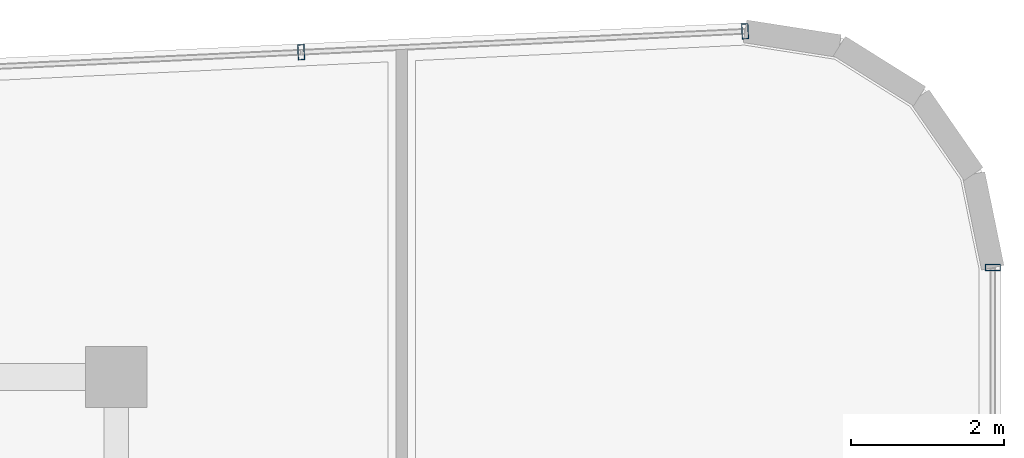
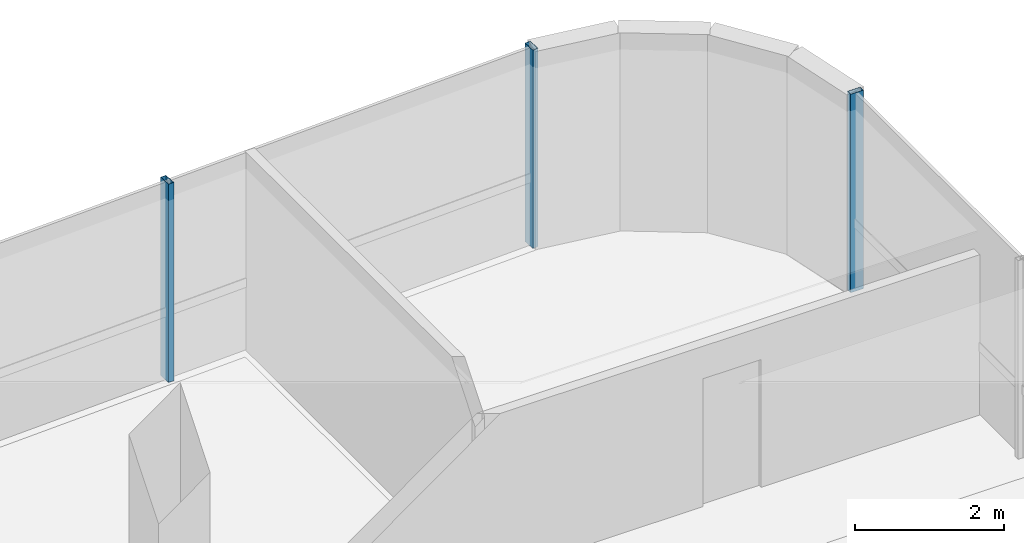
# One storey, part 14 of 21: 3 members, 2 elements without a shape of their own.
"""IFC4 building model written with IfcOpenShell, lengths in metres."""

import ifcopenshell
import ifcopenshell.guid

model = None  # the IFC model being written
_history = None  # IfcOwnerHistory: only IFC2X3 demands one
_inside = {}  # id of a spatial element -> (the spatial element, [elements in it])
_under = {}  # id of a project, library or spatial element -> (it, [spatial elements below it])
_declared = {}  # id of a project -> (the project, [libraries it declares])
_typed = {}  # id of a type object -> (the type object, [elements of that type])
_made_of = {}  # id of a material, layer set ... -> (it, [elements and type objects made of it])


def new_model(schema):
    """Start an empty IFC model of exactly this schema.

    Asked for "IFC4X3", IfcOpenShell would pick the latest addendum, in which some entities
    have other attributes; the version numbers below select the first issue.
    IFC2X3 requires an IfcOwnerHistory on every rooted entity: one is made here for all.
    """
    global model, _history
    if schema == "IFC4X3":
        model = ifcopenshell.file(schema_version=(4, 3, 0, 0))
    else:
        model = ifcopenshell.file(schema=schema)
    _inside.clear()
    _under.clear()
    _declared.clear()
    _typed.clear()
    _made_of.clear()
    _history = None
    if model.schema == "IFC2X3":
        org = make("IfcOrganization", Name="unknown")
        user = make(
            "IfcPersonAndOrganization",
            ThePerson=make("IfcPerson", FamilyName="unknown"),
            TheOrganization=org,
        )
        app = make(
            "IfcApplication",
            ApplicationDeveloper=org,
            Version="unknown",
            ApplicationFullName="unknown",
            ApplicationIdentifier="unknown",
        )
        _history = make(
            "IfcOwnerHistory",
            OwningUser=user,
            OwningApplication=app,
            ChangeAction="ADDED",
            CreationDate=0,
        )
    return model


def make(cls, **values):
    """One entity of the class cls with the attributes given. An attribute that is None is left unset."""
    return model.create_entity(
        cls, **{name: value for name, value in values.items() if value is not None}
    )


def rooted(cls, **values):
    """An entity with a GlobalId (a new one), such as an element, a storey or a relation."""
    return make(cls, GlobalId=ifcopenshell.guid.new(), OwnerHistory=_history, **values)


def si_unit(unit_type, name, prefix=None):
    """IfcSIUnit, for example si_unit("LENGTHUNIT", "METRE", prefix="MILLI")."""
    return make("IfcSIUnit", UnitType=unit_type, Prefix=prefix, Name=name)


def assignment(units):
    """IfcUnitAssignment: the units of a project."""
    return None if units is None else make("IfcUnitAssignment", Units=units)


def point(xyz):
    """IfcCartesianPoint."""
    return None if xyz is None else make("IfcCartesianPoint", Coordinates=xyz)


def direction(xyz):
    """IfcDirection."""
    return None if xyz is None else make("IfcDirection", DirectionRatios=xyz)


def frame(location, z_axis=None, x_axis=None):
    """IfcAxis2Placement3D, a coordinate frame: its origin and axes. An axis left out is left unset."""
    return make(
        "IfcAxis2Placement3D",
        Location=point(location),
        Axis=direction(z_axis),
        RefDirection=direction(x_axis),
    )


def frame_2d(location, x_axis=None):
    """IfcAxis2Placement2D, a coordinate frame in the plane: its origin and x axis."""
    return make(
        "IfcAxis2Placement2D", Location=point(location), RefDirection=direction(x_axis)
    )


def origin():
    """The frame at (0, 0, 0) with its axes left unset."""
    return frame((0.0, 0.0, 0.0))


def origin_2d():
    """The frame at (0, 0) in the plane with its x axis left unset."""
    return frame_2d((0.0, 0.0))


def place(relative_to, where):
    """IfcLocalPlacement: puts the frame where relative to a parent placement (None: the world)."""
    return make(
        "IfcLocalPlacement", PlacementRelTo=relative_to, RelativePlacement=where
    )


def context(
    kind, dimensions, precision=None, world=None, true_north=None, identifier=None
):
    """IfcGeometricRepresentationContext, for example the 3D "Model" context."""
    return make(
        "IfcGeometricRepresentationContext",
        ContextIdentifier=identifier,
        ContextType=kind,
        CoordinateSpaceDimension=dimensions,
        Precision=precision,
        WorldCoordinateSystem=world,
        TrueNorth=true_north,
    )


def subcontext(parent, identifier, kind, view, scale=None):
    """IfcGeometricRepresentationSubContext, for example "Body" below "Model"."""
    return make(
        "IfcGeometricRepresentationSubContext",
        ContextIdentifier=identifier,
        ContextType=kind,
        ParentContext=parent,
        TargetScale=scale,
        TargetView=view,
    )


def project(units=None, contexts=None):
    """IfcProject with its units and contexts."""
    return rooted(
        "IfcProject",
        Name="project",
        RepresentationContexts=contexts,
        UnitsInContext=assignment(units),
    )


def spatial(cls, under=None, at=None, **own):
    """A site, building, storey or space (cls), placed at a placement, below another one or the project."""
    s = rooted(cls, ObjectPlacement=at, **own)
    if under is not None:
        _under.setdefault(under.id(), (under, []))[1].append(s)
    return s


def profile(cls, at=None, kind="AREA", **sizes):
    """A parametric profile (cls). Its sizes go by their IFC names, for example OverallWidth=200.0."""
    return make(cls, ProfileType=kind, Position=at, **sizes)


def hollow_rectangle(**sizes):
    """IfcRectangleHollowProfileDef."""
    return profile("IfcRectangleHollowProfileDef", **sizes)


def extrude(swept, where, along, depth):
    """IfcExtrudedAreaSolid: the profile swept, set in the frame where, extruded along a direction by depth."""
    return make(
        "IfcExtrudedAreaSolid",
        SweptArea=swept,
        Position=where,
        ExtrudedDirection=direction(along),
        Depth=depth,
    )


def shape(context_of_items, identifier, shape_type, items):
    """IfcShapeRepresentation: the items that make up one representation, for example the "Body"."""
    return make(
        "IfcShapeRepresentation",
        ContextOfItems=context_of_items,
        RepresentationIdentifier=identifier,
        RepresentationType=shape_type,
        Items=items,
    )


def source(mapping_origin, context_of_items, identifier, shape_type, items):
    """IfcRepresentationMap: a shape defined once, which mapped items show again and again."""
    return make(
        "IfcRepresentationMap",
        MappingOrigin=mapping_origin,
        MappedRepresentation=shape(context_of_items, identifier, shape_type, items),
    )


def transform(
    local_origin,
    x_axis=None,
    y_axis=None,
    z_axis=None,
    scale=None,
    scale2=None,
    scale3=None,
    uniform=True,
):
    """IfcCartesianTransformationOperator3D, or its non-uniform kind. x_axis, y_axis, z_axis: its Axis1, 2, 3."""
    if uniform:
        return make(
            "IfcCartesianTransformationOperator3D",
            Axis1=direction(x_axis),
            Axis2=direction(y_axis),
            LocalOrigin=point(local_origin),
            Scale=scale,
            Axis3=direction(z_axis),
        )
    return make(
        "IfcCartesianTransformationOperator3DnonUniform",
        Axis1=direction(x_axis),
        Axis2=direction(y_axis),
        LocalOrigin=point(local_origin),
        Scale=scale,
        Axis3=direction(z_axis),
        Scale2=scale2,
        Scale3=scale3,
    )


def mapped(mapping_source, mapping_target):
    """IfcMappedItem: shows the shape of a source again, moved by a transform."""
    return make(
        "IfcMappedItem", MappingSource=mapping_source, MappingTarget=mapping_target
    )


def material(Name=None, Category=None):
    """IfcMaterial."""
    return make("IfcMaterial", Name=Name, Category=Category)


def material_profile(
    of_material, cross_section, Name=None, Category=None, Priority=None
):
    """IfcMaterialProfile: a cross section and its material."""
    return make(
        "IfcMaterialProfile",
        Name=Name,
        Material=of_material,
        Profile=cross_section,
        Priority=Priority,
        Category=Category,
    )


def profile_set(profiles, Name=None, composite=None):
    """IfcMaterialProfileSet."""
    return make(
        "IfcMaterialProfileSet",
        Name=Name,
        MaterialProfiles=profiles,
        CompositeProfile=composite,
    )


def made_of(thing, what):
    """Note that an element or type object is made of a material, layer set ...; save() writes the relation."""
    if what is not None:
        _made_of.setdefault(what.id(), (what, []))[1].append(thing)
    return thing


def type_object(cls, material=None, **own):
    """A type object (cls), such as IfcWallType, which elements share."""
    return made_of(rooted(cls, **own), material)


def element(
    cls,
    number,
    at=None,
    inside=None,
    cuts=None,
    type_object=None,
    material=None,
    context=None,
    identifier="Body",
    shape_type=None,
    held_by="IfcProductDefinitionShape",
    body=None,
    shapes=None,
    **own,
):
    """One element of the class cls, such as IfcWall. Its Tag is "e" and its number.

    at: its placement. inside: the storey or other place that contains it. cuts: it is an
    opening in that element (IfcRelVoidsElement). A single representation is given by context,
    identifier, shape_type and body (its items); several are given by shapes. held_by: the class
    of the entity that holds the representations. save() writes the other relations.
    """
    e = rooted(cls, Tag="e%d" % number, ObjectPlacement=at, **own)
    if body is not None:
        shapes = [shape(context, identifier, shape_type, body)]
    if shapes is not None:
        e.Representation = make(held_by, Representations=shapes)
    if inside is not None:
        _inside.setdefault(inside.id(), (inside, []))[1].append(e)
    if cuts is not None:
        rooted(
            "IfcRelVoidsElement", RelatingBuildingElement=cuts, RelatedOpeningElement=e
        )
    if type_object is not None:
        _typed.setdefault(type_object.id(), (type_object, []))[1].append(e)
    return made_of(e, material)


def aggregate(whole, parts):
    """IfcRelAggregates: a whole, such as a stair, and the parts it consists of."""
    return rooted("IfcRelAggregates", RelatingObject=whole, RelatedObjects=parts)


def save(model, path):
    """Write the relations noted so far, then the file.

    IfcRelAggregates (storeys below a building ...), IfcRelContainedInSpatialStructure (elements
    in a storey), IfcRelDefinesByType, IfcRelAssociatesMaterial and IfcRelDeclares: one each for
    every whole, place, type object, material and project.
    """
    for whole, parts in _under.values():
        aggregate(whole, parts)
    for where, things in _inside.values():
        rooted(
            "IfcRelContainedInSpatialStructure",
            RelatedElements=things,
            RelatingStructure=where,
        )
    for kind, things in _typed.values():
        rooted("IfcRelDefinesByType", RelatedObjects=things, RelatingType=kind)
    for what, things in _made_of.values():
        rooted("IfcRelAssociatesMaterial", RelatedObjects=things, RelatingMaterial=what)
    for by, libraries in _declared.values():
        rooted("IfcRelDeclares", RelatingContext=by, RelatedDefinitions=libraries)
    model.write(path)


model = new_model("IFC4")

# Units and contexts
model_context = context("Model", 3, precision=1e-05, world=origin(), true_north=direction((0.0, 1.0)))
body_context = subcontext(model_context, "Body", "Model", "MODEL_VIEW")
ifc_project = project(units=[si_unit("LENGTHUNIT", "METRE"), si_unit("AREAUNIT", "SQUARE_METRE"), si_unit("VOLUMEUNIT", "CUBIC_METRE"), si_unit("PLANEANGLEUNIT", "RADIAN"), si_unit("MASSUNIT", "GRAM", prefix="KILO")], contexts=[model_context])

# Site, building, storey
site_placement = place(None, origin())
site = spatial("IfcSite", under=ifc_project, at=site_placement, CompositionType="ELEMENT")
building_placement = place(site_placement, origin())
building = spatial("IfcBuilding", under=site, at=building_placement, Name="Valdorenza Pilgrim Sanctuary Tower", CompositionType="ELEMENT")
storey_placement = place(building_placement, frame((0.0, 0.0, 258.0)))
storey = spatial("IfcBuildingStorey", under=building, at=storey_placement, Name="L67", CompositionType="ELEMENT", Elevation=258.0)

# Curtain wall, members
ifc_material_1 = material(Name="Curtain-wall IGU glazing", Category="glass")
curtain_wall_type = type_object("IfcCurtainWallType", Name="CW-SYS-02", PredefinedType="NOTDEFINED", material=ifc_material_1)
curtain_wall_1_placement = place(storey_placement, origin())
curtain_wall_1 = element("IfcCurtainWall", 1, at=curtain_wall_1_placement, inside=storey, type_object=curtain_wall_type, Name="L67 Curtain Wall CW-L67-1-6", PredefinedType="NOTDEFINED")
ifc_material_2 = material(Name="Anodised aluminium AW-6060", Category="aluminium")
ifc_material_profile = material_profile(ifc_material_2, hollow_rectangle(XDim=0.0849609375, YDim=0.199951171875, WallThickness=0.0048828125, at=origin_2d()), Name="ALU-M 200x85x5")
ifc_profile_set = profile_set([ifc_material_profile], Name="Anodised aluminium AW-6060")
member_type = type_object("IfcMemberType", Name="CW-MUL-02", PredefinedType="MULLION", material=ifc_profile_set)
shared_shape = source(origin(), body_context, "Body", "SweptSolid", [
    extrude(hollow_rectangle(XDim=0.0849609375, YDim=0.199951171875, WallThickness=0.0048828125, at=origin_2d()), origin(), (0.0, 0.0, 1.0), 3.260009765625),
])
member_1_placement = place(storey_placement, frame((-9.976318359375, 19.057373046875, 0.0), z_axis=(0.0, 0.0, 1.0), x_axis=(0.998890696972, 0.047089016785, 0.0)))
member_1 = element("IfcMember", 2, at=member_1_placement, type_object=member_type, Name="CW-L67-1-6 Mullion 4", PredefinedType="MULLION", context=body_context, shape_type="MappedRepresentation", body=[
    mapped(shared_shape, transform((0.0, 0.0, 0.0), x_axis=(1.0, 0.0, 0.0), y_axis=(0.0, 1.0, 0.0), z_axis=(0.0, 0.0, 1.0), scale=1.0)),
])
member_2_placement = place(storey_placement, frame((-4.15673828125, 19.331787109375, 0.0), z_axis=(0.0, 0.0, 1.0), x_axis=(0.998890696972, 0.047089016785, 0.0)))
member_2 = element("IfcMember", 3, at=member_2_placement, type_object=member_type, Name="CW-L67-1-6 Mullion 5", PredefinedType="MULLION", context=body_context, shape_type="MappedRepresentation", body=[
    mapped(shared_shape, transform((0.0, 0.0, 0.0), x_axis=(1.0, 0.0, 0.0), y_axis=(0.0, 1.0, 0.0), z_axis=(0.0, 0.0, 1.0), scale=1.0)),
])
aggregate(curtain_wall_1, [member_1, member_2])

# Curtain wall, member
curtain_wall_2_placement = place(storey_placement, origin())
curtain_wall_2 = element("IfcCurtainWall", 4, at=curtain_wall_2_placement, inside=storey, type_object=curtain_wall_type, Name="L67 Curtain Wall CW-L67-1-11", PredefinedType="NOTDEFINED")
member_3_placement = place(storey_placement, frame((-0.909912109375, 16.234375, 0.0), z_axis=(0.0, 0.0, 1.0), x_axis=(0.0, -1.0, 0.0)))
member_3 = element("IfcMember", 5, at=member_3_placement, type_object=member_type, Name="CW-L67-1-11 Mullion 1", PredefinedType="MULLION", context=body_context, shape_type="MappedRepresentation", body=[
    mapped(shared_shape, transform((0.0, 0.0, 0.0), x_axis=(1.0, 0.0, 0.0), y_axis=(0.0, 1.0, 0.0), z_axis=(0.0, 0.0, 1.0), scale=1.0)),
])
aggregate(curtain_wall_2, [member_3])

save(model, "model.ifc")
